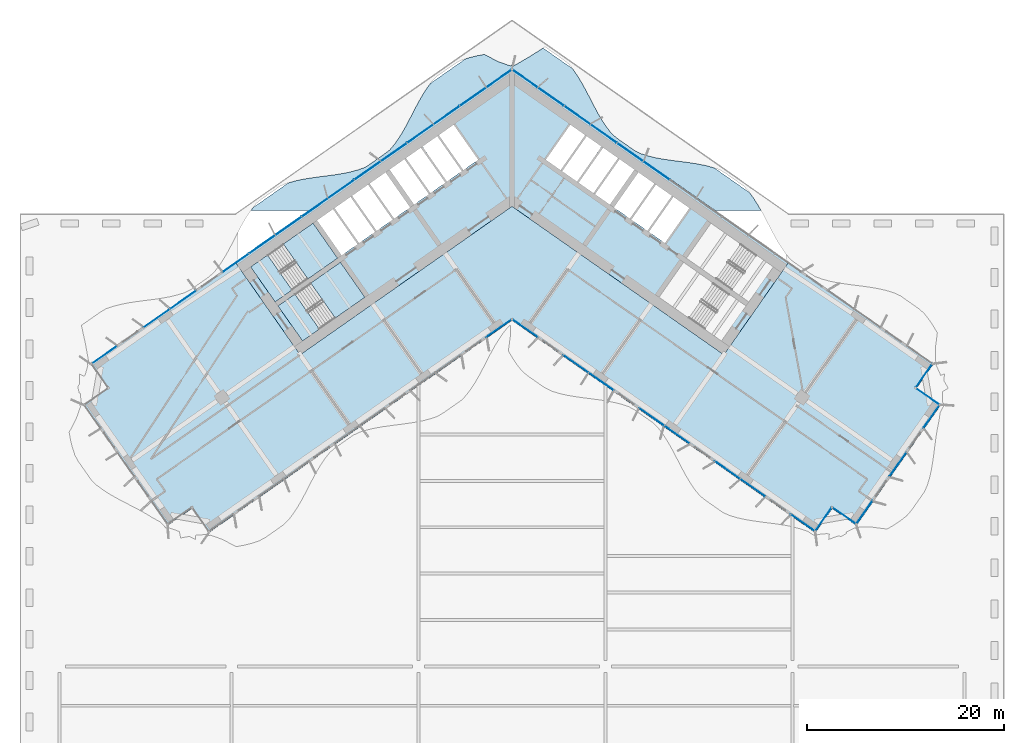
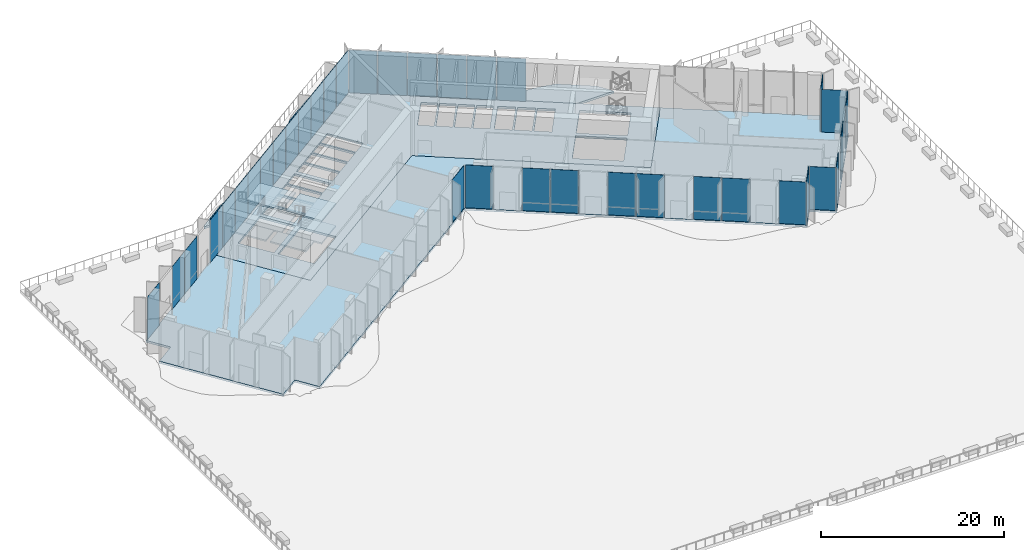
# One storey, part 14 of 27: 36 plates, 9 slabs, 12 elements without a shape of their own.
"""IFC4 building model written with IfcOpenShell, lengths in metres."""

from ifc_helpers import new_model, si_unit, direction, frame, origin, origin_2d, place, context, subcontext, project, spatial, polyline, rectangle, outline, extrude, material, layer, layer_set, type_object, element, aggregate, save


model = new_model("IFC4")

# Units and contexts
model_context = context("Model", 3, precision=1e-05, world=origin(), true_north=direction((0.0, 1.0)))
body_context = subcontext(model_context, "Body", "Model", "MODEL_VIEW")
ifc_project = project(units=[si_unit("LENGTHUNIT", "METRE"), si_unit("AREAUNIT", "SQUARE_METRE"), si_unit("VOLUMEUNIT", "CUBIC_METRE"), si_unit("PLANEANGLEUNIT", "RADIAN"), si_unit("MASSUNIT", "GRAM", prefix="KILO")], contexts=[model_context])

# Site, building, storey
site_placement = place(None, origin())
site = spatial("IfcSite", under=ifc_project, at=site_placement, CompositionType="ELEMENT")
building_placement = place(site_placement, origin())
building = spatial("IfcBuilding", under=site, at=building_placement, Name="Tel Ilan Convention Tower", CompositionType="ELEMENT")
storey_placement = place(building_placement, frame((0.0, 0.0, 48.5)))
storey = spatial("IfcBuildingStorey", under=building, at=storey_placement, Name="L07", CompositionType="ELEMENT", Elevation=48.5)

# Curtain wall, plates
ifc_material_1 = material(Name="Aluminium, bronze anodised", Category="aluminium")
curtain_wall_type_1 = type_object("IfcCurtainWallType", Name="CW1 UNITISED CURTAIN WALL, HOTEL TINTED GLASS", PredefinedType="NOTDEFINED", material=ifc_material_1)
curtain_wall_1_placement = place(storey_placement, origin())
curtain_wall_1 = element("IfcCurtainWall", 1, at=curtain_wall_1_placement, inside=storey, type_object=curtain_wall_type_1, Name="Curtain wall CW1-10.08", PredefinedType="NOTDEFINED")
ifc_material_2 = material(Name="Glass, bronze tinted, two-ply unitised", Category="glass")
ifc_layer_1 = layer(ifc_material_2, 0.028076171875)
ifc_layer_set_1 = layer_set([ifc_layer_1], Name="CW HOTEL GLASS PANEL 28")
plate_type_1 = type_object("IfcPlateType", Name="CW HOTEL GLASS PANEL 28", PredefinedType="CURTAIN_PANEL", material=ifc_layer_set_1)
plate_1_placement = place(storey_placement, frame((-1.3427734375, -13.63623046875, 0.0), z_axis=(0.0, 0.0, 1.0), x_axis=(0.819152044289, 0.573576436351, 0.0)))
plate_1 = element("IfcPlate", 2, at=plate_1_placement, type_object=plate_type_1, Name="Glass panel", PredefinedType="CURTAIN_PANEL", context=body_context, shape_type="SweptSolid", body=[
    extrude(rectangle(XDim=3.076416015625, YDim=0.028076171875, at=origin_2d()), origin(), (0.0, 0.0, 1.0), 5.719970703125),
])
plate_2_placement = place(storey_placement, frame((1.354248046875, -13.644287109375, 0.0), z_axis=(0.0, 0.0, 1.0), x_axis=(0.819152044289, -0.573576436351, 0.0)))
plate_2 = element("IfcPlate", 3, at=plate_2_placement, type_object=plate_type_1, Name="Glass panel", PredefinedType="CURTAIN_PANEL", context=body_context, shape_type="SweptSolid", body=[
    extrude(rectangle(XDim=3.048095703125, YDim=0.028076171875, at=origin_2d()), origin(), (0.0, 0.0, 1.0), 5.719970703125),
])
aggregate(curtain_wall_1, [plate_1, plate_2])

curtain_wall_2_placement = place(storey_placement, origin())
curtain_wall_2 = element("IfcCurtainWall", 4, at=curtain_wall_2_placement, inside=storey, type_object=curtain_wall_type_1, Name="Curtain wall CW1-10.10", PredefinedType="NOTDEFINED")
plate_3_placement = place(storey_placement, frame((6.482177734375, -17.23486328125, 0.0), z_axis=(0.0, 0.0, 1.0), x_axis=(0.819152044289, -0.573576436351, 0.0)))
plate_3 = element("IfcPlate", 5, at=plate_3_placement, type_object=plate_type_1, Name="Glass panel", PredefinedType="CURTAIN_PANEL", context=body_context, shape_type="SweptSolid", body=[
    extrude(rectangle(XDim=3.077392578125, YDim=0.028076171875, at=origin_2d()), origin(), (0.0, 0.0, 1.0), 5.719970703125),
])
plate_4_placement = place(storey_placement, frame((9.05224609375, -19.034423828125, 0.0), z_axis=(0.0, 0.0, 1.0), x_axis=(0.819152044289, -0.573576436351, 0.0)))
plate_4 = element("IfcPlate", 6, at=plate_4_placement, type_object=plate_type_1, Name="Glass panel", PredefinedType="CURTAIN_PANEL", context=body_context, shape_type="SweptSolid", body=[
    extrude(rectangle(XDim=3.077392578125, YDim=0.028076171875, at=origin_2d()), origin(), (0.0, 0.0, 1.0), 5.719970703125),
])
aggregate(curtain_wall_2, [plate_3, plate_4])

curtain_wall_3_placement = place(storey_placement, origin())
curtain_wall_3 = element("IfcCurtainWall", 7, at=curtain_wall_3_placement, inside=storey, type_object=curtain_wall_type_1, Name="Curtain wall CW1-10.12", PredefinedType="NOTDEFINED")
plate_5_placement = place(storey_placement, frame((14.192138671875, -22.633544921875, 0.0), z_axis=(0.0, 0.0, 1.0), x_axis=(0.819152044289, -0.573576436351, 0.0)))
plate_5 = element("IfcPlate", 8, at=plate_5_placement, type_object=plate_type_1, Name="Glass panel", PredefinedType="CURTAIN_PANEL", context=body_context, shape_type="SweptSolid", body=[
    extrude(rectangle(XDim=3.077392578125, YDim=0.028076171875, at=origin_2d()), origin(), (0.0, 0.0, 1.0), 5.719970703125),
])
plate_6_placement = place(storey_placement, frame((16.761962890625, -24.432861328125, 0.0), z_axis=(0.0, 0.0, 1.0), x_axis=(0.819152044289, -0.573576436351, 0.0)))
plate_6 = element("IfcPlate", 9, at=plate_6_placement, type_object=plate_type_1, Name="Glass panel", PredefinedType="CURTAIN_PANEL", context=body_context, shape_type="SweptSolid", body=[
    extrude(rectangle(XDim=3.077392578125, YDim=0.028076171875, at=origin_2d()), origin(), (0.0, 0.0, 1.0), 5.719970703125),
])
aggregate(curtain_wall_3, [plate_5, plate_6])

curtain_wall_4_placement = place(storey_placement, origin())
curtain_wall_4 = element("IfcCurtainWall", 10, at=curtain_wall_4_placement, inside=storey, type_object=curtain_wall_type_1, Name="Curtain wall CW1-10.14", PredefinedType="NOTDEFINED")
plate_7_placement = place(storey_placement, frame((21.90185546875, -28.031982421875, 0.0), z_axis=(0.0, 0.0, 1.0), x_axis=(0.819152044289, -0.573576436351, 0.0)))
plate_7 = element("IfcPlate", 11, at=plate_7_placement, type_object=plate_type_1, Name="Glass panel", PredefinedType="CURTAIN_PANEL", context=body_context, shape_type="SweptSolid", body=[
    extrude(rectangle(XDim=3.077392578125, YDim=0.028076171875, at=origin_2d()), origin(), (0.0, 0.0, 1.0), 5.719970703125),
])
plate_8_placement = place(storey_placement, frame((24.4716796875, -29.831298828125, 0.0), z_axis=(0.0, 0.0, 1.0), x_axis=(0.819152044289, -0.573576436351, 0.0)))
plate_8 = element("IfcPlate", 12, at=plate_8_placement, type_object=plate_type_1, Name="Glass panel", PredefinedType="CURTAIN_PANEL", context=body_context, shape_type="SweptSolid", body=[
    extrude(rectangle(XDim=3.077392578125, YDim=0.028076171875, at=origin_2d()), origin(), (0.0, 0.0, 1.0), 5.719970703125),
])
aggregate(curtain_wall_4, [plate_7, plate_8])

curtain_wall_5_placement = place(storey_placement, origin())
curtain_wall_5 = element("IfcCurtainWall", 13, at=curtain_wall_5_placement, inside=storey, type_object=curtain_wall_type_1, Name="Curtain wall CW1-10.16", PredefinedType="NOTDEFINED")
plate_9_placement = place(storey_placement, frame((29.5732421875, -33.4033203125, 0.0), z_axis=(0.0, 0.0, 1.0), x_axis=(0.819152044289, -0.573576436351, 0.0)))
plate_9 = element("IfcPlate", 14, at=plate_9_placement, type_object=plate_type_1, Name="Glass panel", PredefinedType="CURTAIN_PANEL", context=body_context, shape_type="SweptSolid", body=[
    extrude(rectangle(XDim=2.9833984375, YDim=0.028076171875, at=origin_2d()), origin(), (0.0, 0.0, 1.0), 5.719970703125),
])
plate_10_placement = place(storey_placement, frame((31.653076171875, -33.07568359375, 0.0), z_axis=(0.0, 0.0, 1.0), x_axis=(0.573576436351, 0.819152044289, 0.0)))
plate_10 = element("IfcPlate", 15, at=plate_10_placement, type_object=plate_type_1, Name="Glass panel", PredefinedType="CURTAIN_PANEL", context=body_context, shape_type="SweptSolid", body=[
    extrude(rectangle(XDim=2.875, YDim=0.028076171875, at=origin_2d()), origin(), (0.0, 0.0, 1.0), 5.719970703125),
])
plate_11_placement = place(storey_placement, frame((33.795654296875, -32.69775390625, 0.0), z_axis=(0.0, 0.0, 1.0), x_axis=(0.819152044289, -0.573576436351, 0.0)))
plate_11 = element("IfcPlate", 16, at=plate_11_placement, type_object=plate_type_1, Name="Glass panel", PredefinedType="CURTAIN_PANEL", context=body_context, shape_type="SweptSolid", body=[
    extrude(rectangle(XDim=2.875, YDim=0.028076171875, at=origin_2d()), origin(), (0.0, 0.0, 1.0), 5.719970703125),
])
plate_12_placement = place(storey_placement, frame((35.822998046875, -32.350830078125, 0.0), z_axis=(0.0, 0.0, 1.0), x_axis=(0.573576436351, 0.819152044289, 0.0)))
plate_12 = element("IfcPlate", 17, at=plate_12_placement, type_object=plate_type_1, Name="Glass panel", PredefinedType="CURTAIN_PANEL", context=body_context, shape_type="SweptSolid", body=[
    extrude(rectangle(XDim=2.845947265625, YDim=0.028076171875, at=origin_2d()), origin(), (0.0, 0.0, 1.0), 5.719970703125),
])
aggregate(curtain_wall_5, [plate_9, plate_10, plate_11, plate_12])

# Curtain wall, plate
curtain_wall_6_placement = place(storey_placement, origin())
curtain_wall_6 = element("IfcCurtainWall", 18, at=curtain_wall_6_placement, inside=storey, type_object=curtain_wall_type_1, Name="Curtain wall CW1-10.18", PredefinedType="NOTDEFINED")
plate_13_placement = place(storey_placement, frame((39.2373046875, -27.474365234375, 0.0), z_axis=(0.0, 0.0, 1.0), x_axis=(0.573576436351, 0.819152044289, 0.0)))
plate_13 = element("IfcPlate", 19, at=plate_13_placement, type_object=plate_type_1, Name="Glass panel", PredefinedType="CURTAIN_PANEL", context=body_context, shape_type="SweptSolid", body=[
    extrude(rectangle(XDim=2.93994140625, YDim=0.028076171875, at=origin_2d()), origin(), (0.0, 0.0, 1.0), 5.719970703125),
])
aggregate(curtain_wall_6, [plate_13])

# Curtain wall, plates
curtain_wall_7_placement = place(storey_placement, origin())
curtain_wall_7 = element("IfcCurtainWall", 20, at=curtain_wall_7_placement, inside=storey, type_object=curtain_wall_type_1, Name="Curtain wall CW1-10.20", PredefinedType="NOTDEFINED")
plate_14_placement = place(storey_placement, frame((42.65185546875, -22.597900390625, 0.0), z_axis=(0.0, 0.0, 1.0), x_axis=(0.573576436351, 0.819152044289, 0.0)))
plate_14 = element("IfcPlate", 21, at=plate_14_placement, type_object=plate_type_1, Name="Glass panel", PredefinedType="CURTAIN_PANEL", context=body_context, shape_type="SweptSolid", body=[
    extrude(rectangle(XDim=2.845947265625, YDim=0.028076171875, at=origin_2d()), origin(), (0.0, 0.0, 1.0), 5.719970703125),
])
plate_15_placement = place(storey_placement, frame((42.28466796875, -20.57421875, 0.0), z_axis=(0.0, 0.0, 1.0), x_axis=(-0.819152044289, 0.573576436351, 0.0)))
plate_15 = element("IfcPlate", 22, at=plate_15_placement, type_object=plate_type_1, Name="Glass panel", PredefinedType="CURTAIN_PANEL", context=body_context, shape_type="SweptSolid", body=[
    extrude(rectangle(XDim=2.875, YDim=0.028076171875, at=origin_2d()), origin(), (0.0, 0.0, 1.0), 5.719970703125),
])
plate_16_placement = place(storey_placement, frame((41.90673828125, -18.431640625, 0.0), z_axis=(0.0, 0.0, 1.0), x_axis=(0.573576436351, 0.819152044289, 0.0)))
plate_16 = element("IfcPlate", 23, at=plate_16_placement, type_object=plate_type_1, Name="Glass panel", PredefinedType="CURTAIN_PANEL", context=body_context, shape_type="SweptSolid", body=[
    extrude(rectangle(XDim=2.875, YDim=0.028076171875, at=origin_2d()), origin(), (0.0, 0.0, 1.0), 5.719970703125),
])
aggregate(curtain_wall_7, [plate_14, plate_15, plate_16])

curtain_wall_8_placement = place(storey_placement, origin())
curtain_wall_8 = element("IfcCurtainWall", 24, at=curtain_wall_8_placement, inside=storey, type_object=curtain_wall_type_1, Name="Curtain wall CW1-10.26", PredefinedType="NOTDEFINED")
plate_17_placement = place(storey_placement, frame((-33.446044921875, -10.72314453125, 0.0), z_axis=(0.0, 0.0, 1.0), x_axis=(-0.819152044289, -0.573576436351, 0.0)))
plate_17 = element("IfcPlate", 25, at=plate_17_placement, type_object=plate_type_1, Name="Glass panel", PredefinedType="CURTAIN_PANEL", context=body_context, shape_type="SweptSolid", body=[
    extrude(rectangle(XDim=3.2119140625, YDim=0.028076171875, at=origin_2d()), origin(), (0.0, 0.0, 1.0), 5.719970703125),
])
plate_18_placement = place(storey_placement, frame((-36.12646484375, -12.599853515625, 0.0), z_axis=(0.0, 0.0, 1.0), x_axis=(-0.819152044289, -0.573576436351, 0.0)))
plate_18 = element("IfcPlate", 26, at=plate_18_placement, type_object=plate_type_1, Name="Glass panel", PredefinedType="CURTAIN_PANEL", context=body_context, shape_type="SweptSolid", body=[
    extrude(rectangle(XDim=3.2119140625, YDim=0.028076171875, at=origin_2d()), origin(), (0.0, 0.0, 1.0), 5.719970703125),
])
aggregate(curtain_wall_8, [plate_17, plate_18])

# Curtain wall, plate
curtain_wall_9_placement = place(storey_placement, origin())
curtain_wall_9 = element("IfcCurtainWall", 27, at=curtain_wall_9_placement, inside=storey, type_object=curtain_wall_type_1, Name="Curtain wall CW1-10.28", PredefinedType="NOTDEFINED")
plate_19_placement = place(storey_placement, frame((-41.448486328125, -16.326416015625, 0.0), z_axis=(0.0, 0.0, 1.0), x_axis=(-0.819152044289, -0.573576436351, 0.0)))
plate_19 = element("IfcPlate", 28, at=plate_19_placement, type_object=plate_type_1, Name="Glass panel", PredefinedType="CURTAIN_PANEL", context=body_context, shape_type="SweptSolid", body=[
    extrude(rectangle(XDim=3.117919921875, YDim=0.028076171875, at=origin_2d()), origin(), (0.0, 0.0, 1.0), 5.719970703125),
])
aggregate(curtain_wall_9, [plate_19])

# Curtain wall, plates
ifc_material_3 = material(Name="Aluminium, bronze anodised", Category="aluminium")
curtain_wall_type_2 = type_object("IfcCurtainWallType", Name="CW2 STICK CURTAIN WALL, SPANDREL PANELS", PredefinedType="NOTDEFINED", material=ifc_material_3)
curtain_wall_10_placement = place(storey_placement, origin())
curtain_wall_10 = element("IfcCurtainWall", 29, at=curtain_wall_10_placement, inside=storey, type_object=curtain_wall_type_2, Name="Curtain wall CW2-10.24", PredefinedType="NOTDEFINED")
ifc_material_4 = material(Name="Aluminium composite panel, bronze anodised", Category="aluminium")
ifc_layer_2 = layer(ifc_material_4, 0.06005859375)
ifc_layer_set_2 = layer_set([ifc_layer_2], Name="CW SPANDREL PANEL 60")
plate_type_2 = type_object("IfcPlateType", Name="CW SPANDREL PANEL 60", PredefinedType="CURTAIN_PANEL", material=ifc_layer_set_2)
plate_20_placement = place(storey_placement, frame((14.68408203125, 2.4140625, 0.0), z_axis=(0.0, 0.0, 1.0), x_axis=(-0.819152044289, 0.573576436351, 0.0)))
plate_20 = element("IfcPlate", 30, at=plate_20_placement, type_object=plate_type_2, Name="Spandrel panel", PredefinedType="CURTAIN_PANEL", context=body_context, shape_type="SweptSolid", body=[
    extrude(rectangle(XDim=3.2119140625, YDim=0.06005859375, at=origin_2d()), origin(), (0.0, 0.0, 1.0), 5.719970703125),
])
plate_21_placement = place(storey_placement, frame((12.00390625, 4.290771484375, 0.0), z_axis=(0.0, 0.0, 1.0), x_axis=(-0.819152044289, 0.573576436351, 0.0)))
plate_21 = element("IfcPlate", 31, at=plate_21_placement, type_object=plate_type_2, Name="Spandrel panel", PredefinedType="CURTAIN_PANEL", context=body_context, shape_type="SweptSolid", body=[
    extrude(rectangle(XDim=3.2119140625, YDim=0.06005859375, at=origin_2d()), origin(), (0.0, 0.0, 1.0), 5.719970703125),
])
plate_22_placement = place(storey_placement, frame((9.323486328125, 6.16748046875, 0.0), z_axis=(0.0, 0.0, 1.0), x_axis=(-0.819152044289, 0.573576436351, 0.0)))
plate_22 = element("IfcPlate", 32, at=plate_22_placement, type_object=plate_type_2, Name="Spandrel panel", PredefinedType="CURTAIN_PANEL", context=body_context, shape_type="SweptSolid", body=[
    extrude(rectangle(XDim=3.2119140625, YDim=0.06005859375, at=origin_2d()), origin(), (0.0, 0.0, 1.0), 5.719970703125),
])
plate_23_placement = place(storey_placement, frame((6.643310546875, 8.04443359375, 0.0), z_axis=(0.0, 0.0, 1.0), x_axis=(-0.819152044289, 0.573576436351, 0.0)))
plate_23 = element("IfcPlate", 33, at=plate_23_placement, type_object=plate_type_2, Name="Spandrel panel", PredefinedType="CURTAIN_PANEL", context=body_context, shape_type="SweptSolid", body=[
    extrude(rectangle(XDim=3.2119140625, YDim=0.06005859375, at=origin_2d()), origin(), (0.0, 0.0, 1.0), 5.719970703125),
])
plate_24_placement = place(storey_placement, frame((3.963134765625, 9.921142578125, 0.0), z_axis=(0.0, 0.0, 1.0), x_axis=(-0.819152044289, 0.573576436351, 0.0)))
plate_24 = element("IfcPlate", 34, at=plate_24_placement, type_object=plate_type_2, Name="Spandrel panel", PredefinedType="CURTAIN_PANEL", context=body_context, shape_type="SweptSolid", body=[
    extrude(rectangle(XDim=3.2119140625, YDim=0.06005859375, at=origin_2d()), origin(), (0.0, 0.0, 1.0), 5.719970703125),
])
plate_25_placement = place(storey_placement, frame((1.327880859375, 11.766357421875, 0.0), z_axis=(0.0, 0.0, 1.0), x_axis=(-0.819152044289, 0.573576436351, 0.0)))
plate_25 = element("IfcPlate", 35, at=plate_25_placement, type_object=plate_type_2, Name="Spandrel panel", PredefinedType="CURTAIN_PANEL", context=body_context, shape_type="SweptSolid", body=[
    extrude(rectangle(XDim=3.10205078125, YDim=0.06005859375, at=origin_2d()), origin(), (0.0, 0.0, 1.0), 5.719970703125),
])
plate_26_placement = place(storey_placement, frame((-1.327880859375, 11.766357421875, 0.0), z_axis=(0.0, 0.0, 1.0), x_axis=(-0.819152044289, -0.573576436351, 0.0)))
plate_26 = element("IfcPlate", 36, at=plate_26_placement, type_object=plate_type_2, Name="Spandrel panel", PredefinedType="CURTAIN_PANEL", context=body_context, shape_type="SweptSolid", body=[
    extrude(rectangle(XDim=3.10205078125, YDim=0.06005859375, at=origin_2d()), origin(), (0.0, 0.0, 1.0), 5.719970703125),
])
plate_27_placement = place(storey_placement, frame((-3.963134765625, 9.921142578125, 0.0), z_axis=(0.0, 0.0, 1.0), x_axis=(-0.819152044289, -0.573576436351, 0.0)))
plate_27 = element("IfcPlate", 37, at=plate_27_placement, type_object=plate_type_2, Name="Spandrel panel", PredefinedType="CURTAIN_PANEL", context=body_context, shape_type="SweptSolid", body=[
    extrude(rectangle(XDim=3.2119140625, YDim=0.06005859375, at=origin_2d()), origin(), (0.0, 0.0, 1.0), 5.719970703125),
])
plate_28_placement = place(storey_placement, frame((-6.643310546875, 8.04443359375, 0.0), z_axis=(0.0, 0.0, 1.0), x_axis=(-0.819152044289, -0.573576436351, 0.0)))
plate_28 = element("IfcPlate", 38, at=plate_28_placement, type_object=plate_type_2, Name="Spandrel panel", PredefinedType="CURTAIN_PANEL", context=body_context, shape_type="SweptSolid", body=[
    extrude(rectangle(XDim=3.2119140625, YDim=0.06005859375, at=origin_2d()), origin(), (0.0, 0.0, 1.0), 5.719970703125),
])
plate_29_placement = place(storey_placement, frame((-9.323486328125, 6.16748046875, 0.0), z_axis=(0.0, 0.0, 1.0), x_axis=(-0.819152044289, -0.573576436351, 0.0)))
plate_29 = element("IfcPlate", 39, at=plate_29_placement, type_object=plate_type_2, Name="Spandrel panel", PredefinedType="CURTAIN_PANEL", context=body_context, shape_type="SweptSolid", body=[
    extrude(rectangle(XDim=3.2119140625, YDim=0.06005859375, at=origin_2d()), origin(), (0.0, 0.0, 1.0), 5.719970703125),
])
plate_30_placement = place(storey_placement, frame((-12.00390625, 4.290771484375, 0.0), z_axis=(0.0, 0.0, 1.0), x_axis=(-0.819152044289, -0.573576436351, 0.0)))
plate_30 = element("IfcPlate", 40, at=plate_30_placement, type_object=plate_type_2, Name="Spandrel panel", PredefinedType="CURTAIN_PANEL", context=body_context, shape_type="SweptSolid", body=[
    extrude(rectangle(XDim=3.2119140625, YDim=0.06005859375, at=origin_2d()), origin(), (0.0, 0.0, 1.0), 5.719970703125),
])
plate_31_placement = place(storey_placement, frame((-14.68408203125, 2.4140625, 0.0), z_axis=(0.0, 0.0, 1.0), x_axis=(-0.819152044289, -0.573576436351, 0.0)))
plate_31 = element("IfcPlate", 41, at=plate_31_placement, type_object=plate_type_2, Name="Spandrel panel", PredefinedType="CURTAIN_PANEL", context=body_context, shape_type="SweptSolid", body=[
    extrude(rectangle(XDim=3.2119140625, YDim=0.06005859375, at=origin_2d()), origin(), (0.0, 0.0, 1.0), 5.719970703125),
])
plate_32_placement = place(storey_placement, frame((-17.364501953125, 0.537353515625, 0.0), z_axis=(0.0, 0.0, 1.0), x_axis=(-0.819152044289, -0.573576436351, 0.0)))
plate_32 = element("IfcPlate", 42, at=plate_32_placement, type_object=plate_type_2, Name="Spandrel panel", PredefinedType="CURTAIN_PANEL", context=body_context, shape_type="SweptSolid", body=[
    extrude(rectangle(XDim=3.2119140625, YDim=0.06005859375, at=origin_2d()), origin(), (0.0, 0.0, 1.0), 5.719970703125),
])
plate_33_placement = place(storey_placement, frame((-20.044677734375, -1.33935546875, 0.0), z_axis=(0.0, 0.0, 1.0), x_axis=(-0.819152044289, -0.573576436351, 0.0)))
plate_33 = element("IfcPlate", 43, at=plate_33_placement, type_object=plate_type_2, Name="Spandrel panel", PredefinedType="CURTAIN_PANEL", context=body_context, shape_type="SweptSolid", body=[
    extrude(rectangle(XDim=3.2119140625, YDim=0.06005859375, at=origin_2d()), origin(), (0.0, 0.0, 1.0), 5.719970703125),
])
plate_34_placement = place(storey_placement, frame((-22.72509765625, -3.216064453125, 0.0), z_axis=(0.0, 0.0, 1.0), x_axis=(-0.819152044289, -0.573576436351, 0.0)))
plate_34 = element("IfcPlate", 44, at=plate_34_placement, type_object=plate_type_2, Name="Spandrel panel", PredefinedType="CURTAIN_PANEL", context=body_context, shape_type="SweptSolid", body=[
    extrude(rectangle(XDim=3.2119140625, YDim=0.06005859375, at=origin_2d()), origin(), (0.0, 0.0, 1.0), 5.719970703125),
])
plate_35_placement = place(storey_placement, frame((-25.4052734375, -5.0927734375, 0.0), z_axis=(0.0, 0.0, 1.0), x_axis=(-0.819152044289, -0.573576436351, 0.0)))
plate_35 = element("IfcPlate", 45, at=plate_35_placement, type_object=plate_type_2, Name="Spandrel panel", PredefinedType="CURTAIN_PANEL", context=body_context, shape_type="SweptSolid", body=[
    extrude(rectangle(XDim=3.2119140625, YDim=0.06005859375, at=origin_2d()), origin(), (0.0, 0.0, 1.0), 5.719970703125),
])
plate_36_placement = place(storey_placement, frame((-28.08544921875, -6.9697265625, 0.0), z_axis=(0.0, 0.0, 1.0), x_axis=(-0.819152044289, -0.573576436351, 0.0)))
plate_36 = element("IfcPlate", 46, at=plate_36_placement, type_object=plate_type_2, Name="Spandrel panel", PredefinedType="CURTAIN_PANEL", context=body_context, shape_type="SweptSolid", body=[
    extrude(rectangle(XDim=3.2119140625, YDim=0.06005859375, at=origin_2d()), origin(), (0.0, 0.0, 1.0), 5.719970703125),
])
aggregate(curtain_wall_10, [plate_20, plate_21, plate_22, plate_23, plate_24, plate_25, plate_26, plate_27, plate_28, plate_29, plate_30, plate_31, plate_32, plate_33, plate_34, plate_35, plate_36])

# Stair, slabs
ifc_material_5 = material(Name="Concrete C40/50", Category="concrete")
stair_type = type_object("IfcStairType", Name="Pressurised Exit Stair 32 risers 188 mm", PredefinedType="HALF_TURN_STAIR", material=ifc_material_5)
stair_1_placement = place(storey_placement, origin())
stair_1 = element("IfcStair", 47, at=stair_1_placement, inside=storey, type_object=stair_type, Name="L07 Pressurised Stair S1", PredefinedType="HALF_TURN_STAIR")
ifc_material_6 = material(Name="Concrete C40/50", Category="concrete")
ifc_layer_3 = layer(ifc_material_6, 0.199951171875)
ifc_layer_set_3 = layer_set([ifc_layer_3], Name="Concrete Stair Landing 200 mm C40/50")
slab_type_1 = type_object("IfcSlabType", Name="Concrete Stair Landing 200 mm", PredefinedType="LANDING", material=ifc_layer_set_3)
slab_1_placement = place(storey_placement, frame((0.0, 0.0, 1.300048828125)))
slab_1 = element("IfcSlab", 48, at=slab_1_placement, type_object=slab_type_1, Name="S1 landing 1", PredefinedType="LANDING", context=body_context, shape_type="SweptSolid", body=[
    extrude(outline(polyline([(-20.754638671875, -8.61181640625), (-17.7314453125, -6.494873046875), (-20.226318359375, -2.931640625), (-23.249755859375, -5.048583984375), (-20.754638671875, -8.61181640625)])), origin(), (0.0, 0.0, 1.0), 0.199951171875),
])
slab_2_placement = place(storey_placement, frame((0.0, 0.0, 2.800048828125)))
slab_2 = element("IfcSlab", 49, at=slab_2_placement, type_object=slab_type_1, Name="S1 landing 2", PredefinedType="LANDING", context=body_context, shape_type="SweptSolid", body=[
    extrude(outline(polyline([(-24.079833984375, -10.940185546875), (-22.35888671875, -9.735107421875), (-24.85400390625, -6.171875), (-26.574951171875, -7.376708984375), (-24.079833984375, -10.940185546875)])), origin(), (0.0, 0.0, 1.0), 0.199951171875),
])
slab_3_placement = place(storey_placement, frame((0.0, 0.0, 4.300048828125)))
slab_3 = element("IfcSlab", 50, at=slab_3_placement, type_object=slab_type_1, Name="S1 landing 3", PredefinedType="LANDING", context=body_context, shape_type="SweptSolid", body=[
    extrude(outline(polyline([(-20.754638671875, -8.61181640625), (-17.7314453125, -6.494873046875), (-20.226318359375, -2.931640625), (-23.249755859375, -5.048583984375), (-20.754638671875, -8.61181640625)])), origin(), (0.0, 0.0, 1.0), 0.199951171875),
])
aggregate(stair_1, [slab_1, slab_2, slab_3])

stair_2_placement = place(storey_placement, origin())
stair_2 = element("IfcStair", 51, at=stair_2_placement, inside=storey, type_object=stair_type, Name="L07 Pressurised Stair S2", PredefinedType="HALF_TURN_STAIR")
slab_4_placement = place(storey_placement, frame((0.0, 0.0, 1.300048828125)))
slab_4 = element("IfcSlab", 52, at=slab_4_placement, type_object=slab_type_1, Name="S2 landing 1", PredefinedType="LANDING", context=body_context, shape_type="SweptSolid", body=[
    extrude(outline(polyline([(-17.972900390625, -12.584716796875), (-14.949462890625, -10.4677734375), (-17.444580078125, -6.904541015625), (-20.468017578125, -9.021484375), (-17.972900390625, -12.584716796875)])), origin(), (0.0, 0.0, 1.0), 0.199951171875),
])
slab_5_placement = place(storey_placement, frame((0.0, 0.0, 2.800048828125)))
slab_5 = element("IfcSlab", 53, at=slab_5_placement, type_object=slab_type_1, Name="S2 landing 2", PredefinedType="LANDING", context=body_context, shape_type="SweptSolid", body=[
    extrude(outline(polyline([(-21.2978515625, -14.9130859375), (-19.5771484375, -13.7080078125), (-22.072021484375, -10.144775390625), (-23.79296875, -11.349609375), (-21.2978515625, -14.9130859375)])), origin(), (0.0, 0.0, 1.0), 0.199951171875),
])
slab_6_placement = place(storey_placement, frame((0.0, 0.0, 4.300048828125)))
slab_6 = element("IfcSlab", 54, at=slab_6_placement, type_object=slab_type_1, Name="S2 landing 3", PredefinedType="LANDING", context=body_context, shape_type="SweptSolid", body=[
    extrude(outline(polyline([(-17.972900390625, -12.584716796875), (-14.949462890625, -10.4677734375), (-17.444580078125, -6.904541015625), (-20.468017578125, -9.021484375), (-17.972900390625, -12.584716796875)])), origin(), (0.0, 0.0, 1.0), 0.199951171875),
])
aggregate(stair_2, [slab_4, slab_5, slab_6])

# Slabs
ifc_material_7 = material(Name="Concrete C40/50", Category="concrete")
ifc_layer_4 = layer(ifc_material_7, 0.280029296875)
ifc_layer_set_4 = layer_set([ifc_layer_4], Name="Core Floor Slab 280 mm C40/50")
slab_type_2 = type_object("IfcSlabType", Name="Core Floor Slab 280 mm C40/50", PredefinedType="FLOOR", material=ifc_layer_set_4)
slab_7_placement = place(storey_placement, frame((0.0, 0.0, -0.280029296875)))
element("IfcSlab", 55, at=slab_7_placement, inside=storey, type_object=slab_type_2, Name="L07 core floor 1", PredefinedType="FLOOR", context=body_context, shape_type="SweptSolid", body=[
    extrude(outline(polyline([(-0.2412109375, 12.6494140625), (-1.02099609375, 12.103271484375), (0.0, 12.818115234375), (28.1396484375, -6.885498046875), (21.54345703125, -16.3056640625), (0.0, -1.220703125), (-21.54345703125, -16.3056640625), (-28.1396484375, -6.885498046875), (-1.304931640625, 11.904296875), (-0.2412109375, 12.6494140625), (-6.190673828125, 8.4833984375), (-0.2412109375, 12.6494140625)]), holes=[polyline([(-14.949462890625, -10.4677734375), (-17.444580078125, -6.904541015625), (-22.072021484375, -10.144775390625), (-19.5771484375, -13.7080078125), (-14.949462890625, -10.4677734375)]), polyline([(-17.7314453125, -6.494873046875), (-20.226318359375, -2.931640625), (-24.85400390625, -6.171875), (-22.35888671875, -9.735107421875), (-17.7314453125, -6.494873046875)]), polyline([(-18.198974609375, -1.511962890625), (-19.81689453125, -2.644775390625), (-17.32177734375, -6.2080078125), (-15.7041015625, -5.0751953125), (-18.198974609375, -1.511962890625)]), polyline([(-16.41748046875, -0.264404296875), (-18.03515625, -1.397216796875), (-15.5400390625, -4.960693359375), (-13.92236328125, -3.827880859375), (-16.41748046875, -0.264404296875)]), polyline([(-14.6357421875, 0.983154296875), (-16.25341796875, -0.149658203125), (-13.758544921875, -3.712890625), (-12.140625, -2.580078125), (-14.6357421875, 0.983154296875)]), polyline([(-12.85400390625, 2.230712890625), (-14.471923828125, 1.097900390625), (-11.976806640625, -2.465576171875), (-10.35888671875, -1.332763671875), (-12.85400390625, 2.230712890625)]), polyline([(-10.939208984375, 3.5712890625), (-12.444580078125, 2.517333984375), (-9.949462890625, -1.0458984375), (-8.444091796875, 0.008056640625), (-10.939208984375, 3.5712890625)]), polyline([(-6.775146484375, 1.1767578125), (-9.270263671875, 4.739990234375), (-10.775390625, 3.68603515625), (-8.280517578125, 0.122802734375), (-6.775146484375, 1.1767578125)]), polyline([(-5.106201171875, 2.345458984375), (-7.601318359375, 5.90869140625), (-9.1064453125, 4.854736328125), (-6.611328125, 1.29150390625), (-5.106201171875, 2.345458984375)]), polyline([(-5.93212890625, 7.077392578125), (-7.4375, 6.0234375), (-4.9423828125, 2.460205078125), (-3.437255859375, 3.513916015625), (-5.93212890625, 7.077392578125)]), polyline([(17.444580078125, -6.904541015625), (14.949462890625, -10.4677734375), (19.5771484375, -13.7080078125), (22.072021484375, -10.144775390625), (17.444580078125, -6.904541015625)]), polyline([(20.226318359375, -2.931640625), (17.7314453125, -6.494873046875), (22.35888671875, -9.735107421875), (24.85400390625, -6.171875), (20.226318359375, -2.931640625)]), polyline([(13.92236328125, -3.827880859375), (15.5400390625, -4.960693359375), (18.03515625, -1.397216796875), (16.41748046875, -0.264404296875), (13.92236328125, -3.827880859375)]), polyline([(12.140625, -2.580078125), (13.758544921875, -3.712890625), (16.25341796875, -0.149658203125), (14.6357421875, 0.983154296875), (12.140625, -2.580078125)]), polyline([(11.976806640625, -2.465576171875), (14.471923828125, 1.097900390625), (12.85400390625, 2.230712890625), (10.35888671875, -1.332763671875), (11.976806640625, -2.465576171875)]), polyline([(9.949462890625, -1.0458984375), (12.444580078125, 2.517333984375), (10.939208984375, 3.5712890625), (8.444091796875, 0.008056640625), (9.949462890625, -1.0458984375)]), polyline([(8.280517578125, 0.122802734375), (10.775390625, 3.68603515625), (9.270263671875, 4.739990234375), (6.775146484375, 1.1767578125), (8.280517578125, 0.122802734375)]), polyline([(5.106201171875, 2.345458984375), (6.611328125, 1.29150390625), (9.1064453125, 4.854736328125), (7.601318359375, 5.90869140625), (5.106201171875, 2.345458984375)]), polyline([(3.437255859375, 3.513916015625), (4.9423828125, 2.460205078125), (7.4375, 6.0234375), (5.93212890625, 7.077392578125), (3.437255859375, 3.513916015625)])]), origin(), (0.0, 0.0, 1.0), 0.280029296875),
])
ifc_material_8 = material(Name="Concrete C40/50", Category="concrete")
ifc_layer_5 = layer(ifc_material_8, 0.280029296875)
ifc_layer_set_5 = layer_set([ifc_layer_5], Name="Edge Ledge Slab 280 mm C40/50")
slab_type_3 = type_object("IfcSlabType", Name="Edge Ledge Slab 280 mm C40/50", PredefinedType="FLOOR", material=ifc_layer_set_5)
slab_8_placement = place(storey_placement, frame((0.0, 0.0, -0.280029296875)))
element("IfcSlab", 56, at=slab_8_placement, inside=storey, type_object=slab_type_3, Name="L07 edge ledge 2", PredefinedType="FLOOR", context=body_context, shape_type="SweptSolid", body=[
    extrude(outline(polyline([(-22.099365234375, 1.350341796875), (-21.307861328125, 1.52392578125), (-20.490966796875, 1.661376953125), (-19.658203125, 1.77587890625), (-18.8193359375, 1.881591796875), (-17.98486328125, 1.993896484375), (-17.16455078125, 2.12646484375), (-16.368408203125, 2.29296875), (-15.60400390625, 2.50537109375), (-14.87890625, 2.773681640625), (-14.2626953125, 3.197509765625), (-13.037353515625, 4.055419921875), (-12.43994140625, 4.506103515625), (-11.945068359375, 5.103271484375), (-11.48828125, 5.755126953125), (-11.06298828125, 6.451416015625), (-10.66015625, 7.179931640625), (-10.2705078125, 7.927490234375), (-9.8837890625, 8.67919921875), (-9.489990234375, 9.42041015625), (-9.078857421875, 10.13720703125), (-8.641357421875, 10.81640625), (-8.289306640625, 11.28662109375), (-4.7421875, 13.770263671875), (-4.39794921875, 13.88330078125), (-3.619384765625, 14.075439453125), (-2.81201171875, 14.226318359375), (-1.382080078125, 13.48828125), (-0.172119140625, 13.06396484375), (-0.168701171875, 13.05908203125), (-0.11474609375, 13.09521484375), (0.0, 13.1181640625), (0.11474609375, 13.09521484375), (0.168701171875, 13.05908203125), (0.172119140625, 13.06396484375), (1.705810546875, 13.95068359375), (3.16455078125, 14.875), (6.117919921875, 12.806884765625), (6.26025390625, 12.63134765625), (6.712646484375, 11.9736328125), (7.134765625, 11.272705078125), (7.535400390625, 10.540771484375), (7.924072265625, 9.7919921875), (8.31103515625, 9.040771484375), (8.70654296875, 8.3017578125), (9.12060546875, 7.589111328125), (9.56201171875, 6.915283203125), (10.038330078125, 6.2919921875), (10.5869140625, 5.771484375), (12.4248046875, 4.484619140625), (13.0966796875, 4.139892578125), (13.843505859375, 3.903076171875), (14.626220703125, 3.716796875), (15.4365234375, 3.570068359375), (16.265625, 3.4501953125), (17.103759765625, 3.343505859375), (17.940673828125, 3.234619140625), (18.76611328125, 3.109619140625), (19.5703125, 2.9541015625), (20.344482421875, 2.756103515625), (20.592529296875, 2.671630859375), (24.148193359375, 0.18212890625), (24.5498046875, -0.365478515625), (24.983642578125, -1.0498046875), (25.313232421875, -1.631591796875), (20.63623046875, -1.631591796875), (0.0, 12.818115234375), (-0.23974609375, 12.650146484375), (-1.244384765625, 11.94677734375), (-20.63623046875, -1.631591796875), (-26.5380859375, -1.631591796875), (-26.470947265625, -1.533447265625), (-26.306884765625, -1.329345703125), (-22.75146484375, 1.16015625), (-22.099365234375, 1.350341796875)])), origin(), (0.0, 0.0, 1.0), 0.280029296875),
])
ifc_material_9 = material(Name="Concrete C40/50", Category="concrete")
ifc_layer_6 = layer(ifc_material_9, 0.280029296875)
ifc_layer_set_6 = layer_set([ifc_layer_6], Name="Flat Plate Floor Slab 280 mm C40/50")
slab_type_4 = type_object("IfcSlabType", Name="Flat Plate Floor Slab 280 mm C40/50", PredefinedType="FLOOR", material=ifc_layer_set_6)
slab_9_placement = place(storey_placement, frame((0.0, 0.0, -0.280029296875)))
element("IfcSlab", 57, at=slab_9_placement, inside=storey, type_object=slab_type_4, Name="L07 floor slab", PredefinedType="FLOOR", context=body_context, shape_type="SweptSolid", body=[
    extrude(outline(polyline([(-21.54345703125, -16.3056640625), (0.0, -1.220703125), (21.54345703125, -16.3056640625), (28.1396484375, -6.885498046875), (42.884521484375, -17.209716796875), (41.163818359375, -19.667236328125), (43.62109375, -21.387939453125), (35.017578125, -33.67529296875), (32.56005859375, -31.95458984375), (30.83935546875, -34.412109375), (0.0, -12.818115234375), (-30.83935546875, -34.412109375), (-32.56005859375, -31.95458984375), (-35.017578125, -33.67529296875), (-43.62109375, -21.387939453125), (-41.163818359375, -19.667236328125), (-42.884521484375, -17.209716796875), (-28.1396484375, -6.885498046875), (-21.54345703125, -16.3056640625)])), origin(), (0.0, 0.0, 1.0), 0.280029296875),
])

save(model, "model.ifc")
